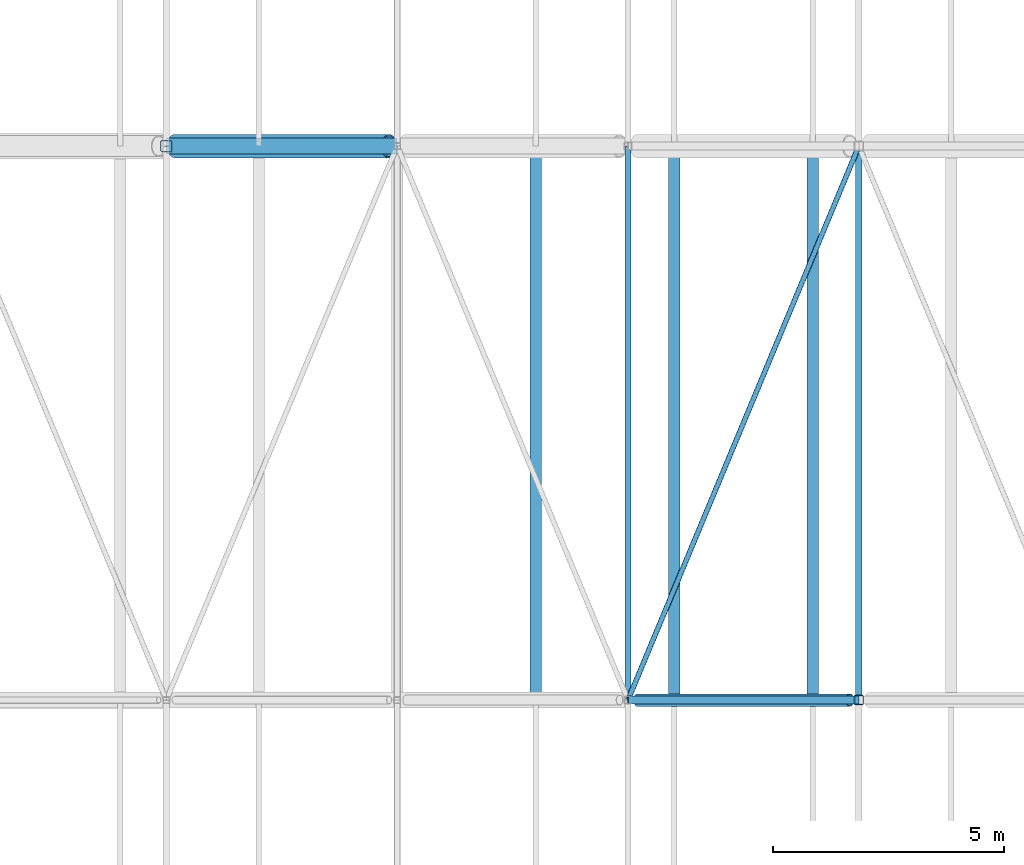
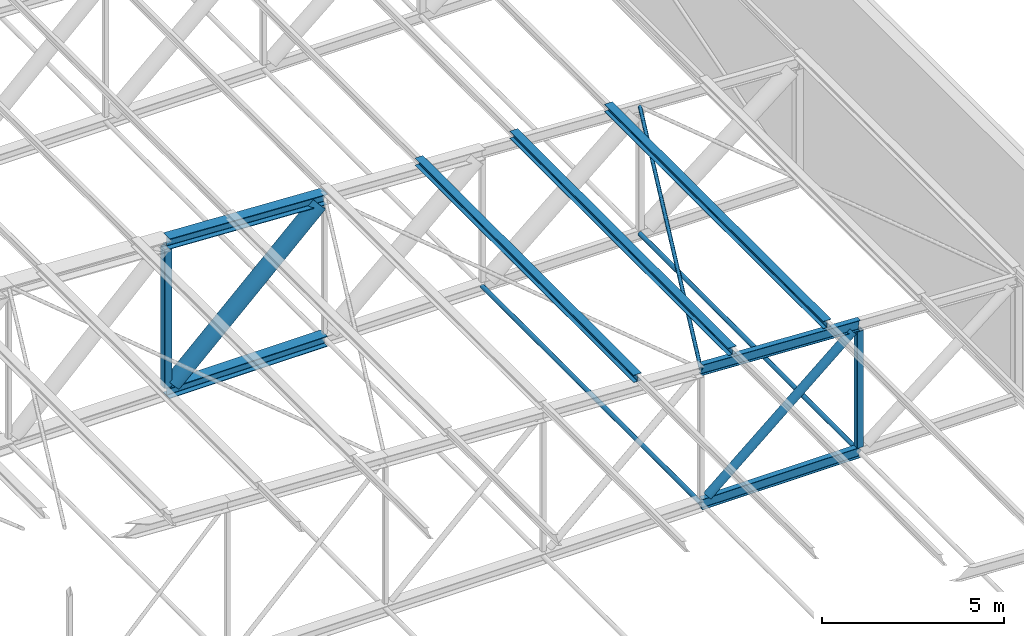
# One storey, part 83 of 156: 14 members.
"""IFC4 building model written with IfcOpenShell, lengths in metres."""

from ifc_helpers import new_model, si_unit, direction, frame, origin, origin_2d, place, context, subcontext, project, spatial, hollow_rectangle, hollow_circle, i_section, extrude, material, material_profile, profile_set, type_object, element, save


model = new_model("IFC4")

# Units and contexts
model_context = context("Model", 3, precision=1e-05, world=origin(), true_north=direction((0.0, 1.0)))
body_context = subcontext(model_context, "Body", "Model", "MODEL_VIEW")
ifc_project = project(units=[si_unit("LENGTHUNIT", "METRE"), si_unit("AREAUNIT", "SQUARE_METRE"), si_unit("VOLUMEUNIT", "CUBIC_METRE"), si_unit("PLANEANGLEUNIT", "RADIAN"), si_unit("MASSUNIT", "GRAM", prefix="KILO")], contexts=[model_context])

# Site, building, storey
site_placement = place(None, origin())
site = spatial("IfcSite", under=ifc_project, at=site_placement, CompositionType="ELEMENT")
building_placement = place(site_placement, origin())
building = spatial("IfcBuilding", under=site, at=building_placement, Name="Lilac Gate Convention Centre", CompositionType="ELEMENT")
storey_placement = place(building_placement, frame((0.0, 0.0, 17.0)))
storey = spatial("IfcBuildingStorey", under=building, at=storey_placement, Name="L03", CompositionType="ELEMENT", Elevation=17.0)

# Members
ifc_material = material(Name="Steel Q355B", Category="steel")
ifc_material_profile_1 = material_profile(ifc_material, hollow_circle(Radius=0.06982421875, WallThickness=0.0048828125, at=origin_2d()), Name="CHS139.7x5")
ifc_profile_set_1 = profile_set([ifc_material_profile_1], Name="Steel Q355B")
member_type_1 = type_object("IfcMemberType", Name="Bottom chord tie CHS139.7x5", PredefinedType="STRUT", material=ifc_profile_set_1)
for number, where, z_axis, x_axis, name in (
    (1, (80.0, 126.00341796875, 0.0), (0.0, 1.0, 0.0), (-1.0, 0.0, 0.0), "ST1 tie bay 9 node 11"),
    (2, (85.0, 126.00341796875, 0.0), (0.0, 1.0, 0.0), (-1.0, 0.0, 0.0), "ST1 tie bay 9 node 12"),
):
    element("IfcMember", number, at=place(storey_placement, frame(where, z_axis=z_axis, x_axis=x_axis)), inside=storey, type_object=member_type_1, Name=name, PredefinedType="STRUT", context=body_context, shape_type="SweptSolid", body=[
        extrude(hollow_circle(Radius=0.06982421875, WallThickness=0.0048828125, at=origin_2d()), origin(), (0.0, 0.0, 1.0), 11.9931640625),
    ])
ifc_material_profile_2 = material_profile(ifc_material, hollow_circle(Radius=0.05712890625, WallThickness=0.0048828125, at=origin_2d()), Name="CHS114.3x5")
ifc_profile_set_2 = profile_set([ifc_material_profile_2], Name="Steel Q355B")
member_type_2 = type_object("IfcMemberType", Name="Roof plane bracing CHS114.3x5", PredefinedType="BRACE", material=ifc_profile_set_2)
member_1_placement = place(storey_placement, frame((80.00146484375, 126.00341796875, 4.5), z_axis=(0.384538867181, 0.922908311091, -0.019238215751), x_axis=(-0.923079146825, 0.384610047578, 0.0)))
element("IfcMember", 3, at=member_1_placement, inside=storey, type_object=member_type_2, Name="BR1 plan bracing bay 9 panel 11", PredefinedType="BRACE", context=body_context, shape_type="SweptSolid", body=[
    extrude(hollow_circle(Radius=0.05712890625, WallThickness=0.0048828125, at=origin_2d()), origin(), (0.0, 0.0, 1.0), 12.994873046875),
])
ifc_material_profile_3 = material_profile(ifc_material, i_section(OverallWidth=0.25, OverallDepth=0.25, WebThickness=0.009033203125, FlangeThickness=0.013916015625, FilletRadius=0.012939453125, at=origin_2d()), Name="HW250x250x9x14")
ifc_profile_set_3 = profile_set([ifc_material_profile_3], Name="Steel Q355B")
member_type_3 = type_object("IfcMemberType", Name="Roof purlin HW250x250x9x14", PredefinedType="PURLIN", material=ifc_profile_set_3)
for number, where, z_axis, x_axis, name in (
    (4, (78.0, 126.0, 4.900146484375), (0.0, 1.0, 0.0), (-1.0, 0.0, 0.0), "PU1 purlin bay 9 line 17"),
    (5, (81.0, 126.0, 4.750244140625), (0.0, 1.0, 0.0), (-1.0, 0.0, 0.0), "PU1 purlin bay 9 line 18"),
    (6, (84.0, 126.0, 4.60009765625), (0.0, 1.0, 0.0), (-1.0, 0.0, 0.0), "PU1 purlin bay 9 line 19"),
):
    element("IfcMember", number, at=place(storey_placement, frame(where, z_axis=z_axis, x_axis=x_axis)), inside=storey, type_object=member_type_3, Name=name, PredefinedType="PURLIN", context=body_context, shape_type="SweptSolid", body=[
        extrude(i_section(OverallWidth=0.25, OverallDepth=0.25, WebThickness=0.009033203125, FlangeThickness=0.013916015625, FilletRadius=0.012939453125, at=origin_2d()), origin(), (0.0, 0.0, 1.0), 12.0),
    ])
ifc_material_profile_4 = material_profile(ifc_material, i_section(OverallWidth=0.175048828125, OverallDepth=0.35009765625, WebThickness=0.007080078125, FlangeThickness=0.010986328125, FilletRadius=0.012939453125, at=origin_2d()), Name="HN350x175x7x11")
ifc_profile_set_4 = profile_set([ifc_material_profile_4], Name="Steel Q355B")
member_type_4 = type_object("IfcMemberType", Name="Truss bottom chord HN350x175x7x11", PredefinedType="CHORD", material=ifc_profile_set_4)
member_2_placement = place(storey_placement, frame((80.0, 126.0, 0.0), z_axis=(1.0, 0.0, 0.0), x_axis=(0.0, 1.0, 0.0)))
element("IfcMember", 7, at=member_2_placement, inside=storey, type_object=member_type_4, Name="TB1 truss 9 bottom chord 11", PredefinedType="CHORD", context=body_context, shape_type="SweptSolid", body=[
    extrude(i_section(OverallWidth=0.175048828125, OverallDepth=0.35009765625, WebThickness=0.007080078125, FlangeThickness=0.010986328125, FilletRadius=0.012939453125, at=origin_2d()), origin(), (0.0, 0.0, 1.0), 5.0),
])
ifc_material_profile_5 = material_profile(ifc_material, i_section(OverallWidth=0.35009765625, OverallDepth=0.35009765625, WebThickness=0.011962890625, FlangeThickness=0.01904296875, FilletRadius=0.012939453125, at=origin_2d()), Name="HW350x350x12x19")
ifc_profile_set_5 = profile_set([ifc_material_profile_5], Name="Steel Q355B")
member_type_5 = type_object("IfcMemberType", Name="Truss bottom chord HW350x350x12x19", PredefinedType="CHORD", material=ifc_profile_set_5)
member_3_placement = place(storey_placement, frame((70.0, 138.0, 0.0), z_axis=(1.0, 0.0, 0.0), x_axis=(0.0, 1.0, 0.0)))
element("IfcMember", 8, at=member_3_placement, inside=storey, type_object=member_type_5, Name="TB2 truss 10 bottom chord 9", PredefinedType="CHORD", context=body_context, shape_type="SweptSolid", body=[
    extrude(i_section(OverallWidth=0.35009765625, OverallDepth=0.35009765625, WebThickness=0.011962890625, FlangeThickness=0.01904296875, FilletRadius=0.012939453125, at=origin_2d()), origin(), (0.0, 0.0, 1.0), 5.0),
])
ifc_material_profile_6 = material_profile(ifc_material, hollow_circle(Radius=0.136474609375, WallThickness=0.010009765625, at=origin_2d()), Name="CHS273x10")
ifc_profile_set_6 = profile_set([ifc_material_profile_6], Name="Steel Q355B")
member_type_6 = type_object("IfcMemberType", Name="Truss diagonal CHS273x10", PredefinedType="BRACE", material=ifc_profile_set_6)
member_4_placement = place(storey_placement, frame((84.806884765625, 126.0, 4.085693359375), z_axis=(-0.761961263863, 0.0, -0.647622600263), x_axis=(0.0, -1.0, 0.0)))
element("IfcMember", 9, at=member_4_placement, inside=storey, type_object=member_type_6, Name="TW2 truss 9 diagonal 11", PredefinedType="BRACE", context=body_context, shape_type="SweptSolid", body=[
    extrude(hollow_circle(Radius=0.136474609375, WallThickness=0.010009765625, at=origin_2d()), origin(), (0.0, 0.0, 1.0), 6.03857421875),
])
ifc_material_profile_7 = material_profile(ifc_material, hollow_circle(Radius=0.25390625, WallThickness=0.030029296875, at=origin_2d()), Name="CHS508x30")
ifc_profile_set_7 = profile_set([ifc_material_profile_7], Name="Steel Q355B")
member_type_7 = type_object("IfcMemberType", Name="Truss diagonal CHS508x30", PredefinedType="BRACE", material=ifc_profile_set_7)
member_5_placement = place(storey_placement, frame((74.8271484375, 138.0, 4.585693359375), z_axis=(-0.725020373275, 0.0, -0.688727419475), x_axis=(0.0, -1.0, 0.0)))
element("IfcMember", 10, at=member_5_placement, inside=storey, type_object=member_type_7, Name="TW10 truss 10 diagonal 9", PredefinedType="BRACE", context=body_context, shape_type="SweptSolid", body=[
    extrude(hollow_circle(Radius=0.25390625, WallThickness=0.030029296875, at=origin_2d()), origin(), (0.0, 0.0, 1.0), 6.404052734375),
])
ifc_material_profile_8 = material_profile(ifc_material, i_section(OverallWidth=0.175048828125, OverallDepth=0.35009765625, WebThickness=0.007080078125, FlangeThickness=0.010986328125, FilletRadius=0.012939453125, at=origin_2d()), Name="HN350x175x7x11")
ifc_profile_set_8 = profile_set([ifc_material_profile_8], Name="Steel Q355B")
member_type_8 = type_object("IfcMemberType", Name="Truss top chord HN350x175x7x11", PredefinedType="CHORD", material=ifc_profile_set_8)
member_6_placement = place(storey_placement, frame((80.0, 126.0, 4.5), z_axis=(0.998752338878, 0.0, -0.049937616944), x_axis=(0.0, 1.0, 0.0)))
element("IfcMember", 11, at=member_6_placement, inside=storey, type_object=member_type_8, Name="TT1 truss 9 top chord 11", PredefinedType="CHORD", context=body_context, shape_type="SweptSolid", body=[
    extrude(i_section(OverallWidth=0.175048828125, OverallDepth=0.35009765625, WebThickness=0.007080078125, FlangeThickness=0.010986328125, FilletRadius=0.012939453125, at=origin_2d()), origin(), (0.0, 0.0, 1.0), 5.00634765625),
])
ifc_material_profile_9 = material_profile(ifc_material, i_section(OverallWidth=0.35009765625, OverallDepth=0.35009765625, WebThickness=0.011962890625, FlangeThickness=0.01904296875, FilletRadius=0.012939453125, at=origin_2d()), Name="HW350x350x12x19")
ifc_profile_set_9 = profile_set([ifc_material_profile_9], Name="Steel Q355B")
member_type_9 = type_object("IfcMemberType", Name="Truss top chord HW350x350x12x19", PredefinedType="CHORD", material=ifc_profile_set_9)
member_7_placement = place(storey_placement, frame((70.0, 138.0, 5.0), z_axis=(0.998752338878, 0.0, -0.049937616944), x_axis=(0.0, 1.0, 0.0)))
element("IfcMember", 12, at=member_7_placement, inside=storey, type_object=member_type_9, Name="TT2 truss 10 top chord 9", PredefinedType="CHORD", context=body_context, shape_type="SweptSolid", body=[
    extrude(i_section(OverallWidth=0.35009765625, OverallDepth=0.35009765625, WebThickness=0.011962890625, FlangeThickness=0.01904296875, FilletRadius=0.012939453125, at=origin_2d()), origin(), (0.0, 0.0, 1.0), 5.00634765625),
])
ifc_material_profile_10 = material_profile(ifc_material, hollow_rectangle(XDim=0.199951171875, YDim=0.199951171875, WallThickness=0.008056640625, InnerFilletRadius=0.011962890625, OuterFilletRadius=0.02001953125, at=origin_2d()), Name="SHS200x200x8")
ifc_profile_set_10 = profile_set([ifc_material_profile_10], Name="Steel Q355B")
member_type_10 = type_object("IfcMemberType", Name="Truss vertical SHS200x200x8", PredefinedType="STRUT", material=ifc_profile_set_10)
member_8_placement = place(storey_placement, frame((85.0, 126.0, 0.175048828125), z_axis=(0.0, 0.0, 1.0), x_axis=(1.0, 0.0, 0.0)))
element("IfcMember", 13, at=member_8_placement, inside=storey, type_object=member_type_10, Name="TV2 truss 9 vertical 12", PredefinedType="STRUT", context=body_context, shape_type="SweptSolid", body=[
    extrude(hollow_rectangle(XDim=0.199951171875, YDim=0.199951171875, WallThickness=0.008056640625, InnerFilletRadius=0.011962890625, OuterFilletRadius=0.02001953125, at=origin_2d()), origin(), (0.0, 0.0, 1.0), 3.899658203125),
])
ifc_material_profile_11 = material_profile(ifc_material, hollow_rectangle(XDim=0.25, YDim=0.25, WallThickness=0.011962890625, InnerFilletRadius=0.01806640625, OuterFilletRadius=0.030029296875, at=origin_2d()), Name="SHS250x250x12")
ifc_profile_set_11 = profile_set([ifc_material_profile_11], Name="Steel Q355B")
member_type_11 = type_object("IfcMemberType", Name="Truss vertical SHS250x250x12", PredefinedType="STRUT", material=ifc_profile_set_11)
member_9_placement = place(storey_placement, frame((70.0, 138.0, 0.175048828125), z_axis=(0.0, 0.0, 1.0), x_axis=(1.0, 0.0, 0.0)))
element("IfcMember", 14, at=member_9_placement, inside=storey, type_object=member_type_11, Name="TV5 truss 10 vertical 9", PredefinedType="STRUT", context=body_context, shape_type="SweptSolid", body=[
    extrude(hollow_rectangle(XDim=0.25, YDim=0.25, WallThickness=0.011962890625, InnerFilletRadius=0.01806640625, OuterFilletRadius=0.030029296875, at=origin_2d()), origin(), (0.0, 0.0, 1.0), 4.649658203125),
])

save(model, "model.ifc")
